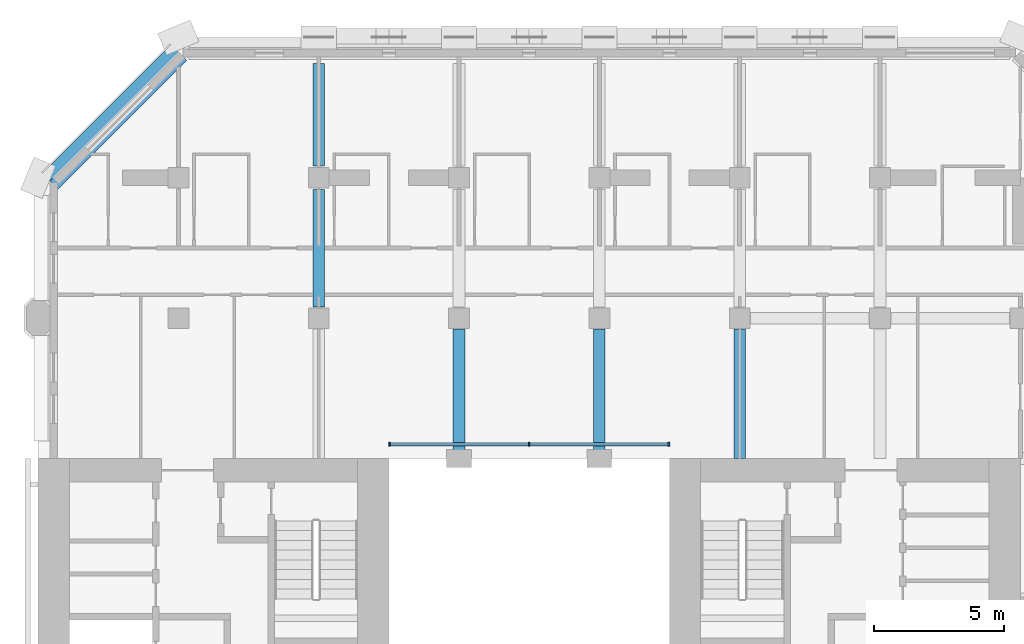
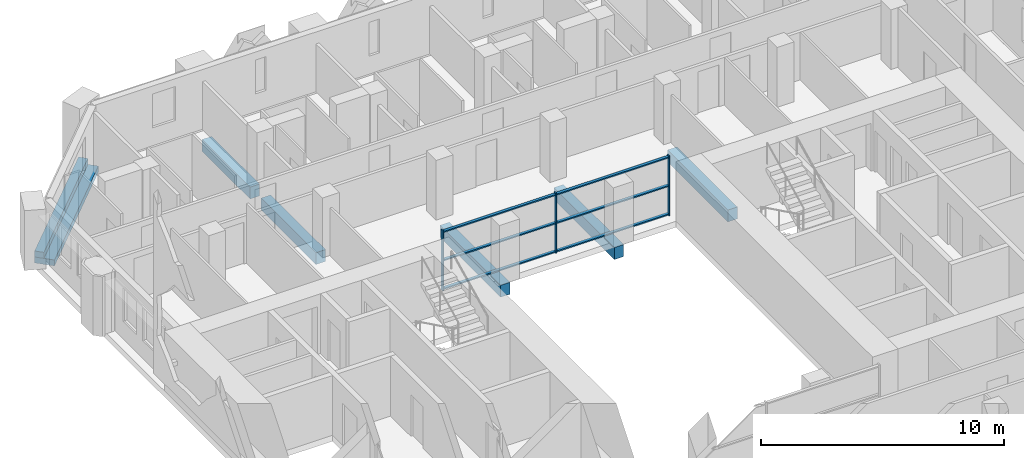
# One storey, part 6 of 17: 9 members, 7 beams, 1 element without a shape of its own.
"""IFC4 building model written with IfcOpenShell, lengths in metres."""

import ifcopenshell
import ifcopenshell.guid

model = None  # the IFC model being written
_history = None  # IfcOwnerHistory: only IFC2X3 demands one
_inside = {}  # id of a spatial element -> (the spatial element, [elements in it])
_under = {}  # id of a project, library or spatial element -> (it, [spatial elements below it])
_declared = {}  # id of a project -> (the project, [libraries it declares])
_typed = {}  # id of a type object -> (the type object, [elements of that type])
_made_of = {}  # id of a material, layer set ... -> (it, [elements and type objects made of it])


def new_model(schema):
    """Start an empty IFC model of exactly this schema.

    Asked for "IFC4X3", IfcOpenShell would pick the latest addendum, in which some entities
    have other attributes; the version numbers below select the first issue.
    IFC2X3 requires an IfcOwnerHistory on every rooted entity: one is made here for all.
    """
    global model, _history
    if schema == "IFC4X3":
        model = ifcopenshell.file(schema_version=(4, 3, 0, 0))
    else:
        model = ifcopenshell.file(schema=schema)
    _inside.clear()
    _under.clear()
    _declared.clear()
    _typed.clear()
    _made_of.clear()
    _history = None
    if model.schema == "IFC2X3":
        org = make("IfcOrganization", Name="unknown")
        user = make(
            "IfcPersonAndOrganization",
            ThePerson=make("IfcPerson", FamilyName="unknown"),
            TheOrganization=org,
        )
        app = make(
            "IfcApplication",
            ApplicationDeveloper=org,
            Version="unknown",
            ApplicationFullName="unknown",
            ApplicationIdentifier="unknown",
        )
        _history = make(
            "IfcOwnerHistory",
            OwningUser=user,
            OwningApplication=app,
            ChangeAction="ADDED",
            CreationDate=0,
        )
    return model


def make(cls, **values):
    """One entity of the class cls with the attributes given. An attribute that is None is left unset."""
    return model.create_entity(
        cls, **{name: value for name, value in values.items() if value is not None}
    )


def rooted(cls, **values):
    """An entity with a GlobalId (a new one), such as an element, a storey or a relation."""
    return make(cls, GlobalId=ifcopenshell.guid.new(), OwnerHistory=_history, **values)


def si_unit(unit_type, name, prefix=None):
    """IfcSIUnit, for example si_unit("LENGTHUNIT", "METRE", prefix="MILLI")."""
    return make("IfcSIUnit", UnitType=unit_type, Prefix=prefix, Name=name)


def assignment(units):
    """IfcUnitAssignment: the units of a project."""
    return None if units is None else make("IfcUnitAssignment", Units=units)


def point(xyz):
    """IfcCartesianPoint."""
    return None if xyz is None else make("IfcCartesianPoint", Coordinates=xyz)


def direction(xyz):
    """IfcDirection."""
    return None if xyz is None else make("IfcDirection", DirectionRatios=xyz)


def frame(location, z_axis=None, x_axis=None):
    """IfcAxis2Placement3D, a coordinate frame: its origin and axes. An axis left out is left unset."""
    return make(
        "IfcAxis2Placement3D",
        Location=point(location),
        Axis=direction(z_axis),
        RefDirection=direction(x_axis),
    )


def frame_2d(location, x_axis=None):
    """IfcAxis2Placement2D, a coordinate frame in the plane: its origin and x axis."""
    return make(
        "IfcAxis2Placement2D", Location=point(location), RefDirection=direction(x_axis)
    )


def origin():
    """The frame at (0, 0, 0) with its axes left unset."""
    return frame((0.0, 0.0, 0.0))


def origin_2d():
    """The frame at (0, 0) in the plane with its x axis left unset."""
    return frame_2d((0.0, 0.0))


def place(relative_to, where):
    """IfcLocalPlacement: puts the frame where relative to a parent placement (None: the world)."""
    return make(
        "IfcLocalPlacement", PlacementRelTo=relative_to, RelativePlacement=where
    )


def context(
    kind, dimensions, precision=None, world=None, true_north=None, identifier=None
):
    """IfcGeometricRepresentationContext, for example the 3D "Model" context."""
    return make(
        "IfcGeometricRepresentationContext",
        ContextIdentifier=identifier,
        ContextType=kind,
        CoordinateSpaceDimension=dimensions,
        Precision=precision,
        WorldCoordinateSystem=world,
        TrueNorth=true_north,
    )


def subcontext(parent, identifier, kind, view, scale=None):
    """IfcGeometricRepresentationSubContext, for example "Body" below "Model"."""
    return make(
        "IfcGeometricRepresentationSubContext",
        ContextIdentifier=identifier,
        ContextType=kind,
        ParentContext=parent,
        TargetScale=scale,
        TargetView=view,
    )


def project(units=None, contexts=None):
    """IfcProject with its units and contexts."""
    return rooted(
        "IfcProject",
        Name="project",
        RepresentationContexts=contexts,
        UnitsInContext=assignment(units),
    )


def spatial(cls, under=None, at=None, **own):
    """A site, building, storey or space (cls), placed at a placement, below another one or the project."""
    s = rooted(cls, ObjectPlacement=at, **own)
    if under is not None:
        _under.setdefault(under.id(), (under, []))[1].append(s)
    return s


def profile(cls, at=None, kind="AREA", **sizes):
    """A parametric profile (cls). Its sizes go by their IFC names, for example OverallWidth=200.0."""
    return make(cls, ProfileType=kind, Position=at, **sizes)


def rectangle(**sizes):
    """IfcRectangleProfileDef."""
    return profile("IfcRectangleProfileDef", **sizes)


def extrude(swept, where, along, depth):
    """IfcExtrudedAreaSolid: the profile swept, set in the frame where, extruded along a direction by depth."""
    return make(
        "IfcExtrudedAreaSolid",
        SweptArea=swept,
        Position=where,
        ExtrudedDirection=direction(along),
        Depth=depth,
    )


def shape(context_of_items, identifier, shape_type, items):
    """IfcShapeRepresentation: the items that make up one representation, for example the "Body"."""
    return make(
        "IfcShapeRepresentation",
        ContextOfItems=context_of_items,
        RepresentationIdentifier=identifier,
        RepresentationType=shape_type,
        Items=items,
    )


def material(Name=None, Category=None):
    """IfcMaterial."""
    return make("IfcMaterial", Name=Name, Category=Category)


def material_profile(
    of_material, cross_section, Name=None, Category=None, Priority=None
):
    """IfcMaterialProfile: a cross section and its material."""
    return make(
        "IfcMaterialProfile",
        Name=Name,
        Material=of_material,
        Profile=cross_section,
        Priority=Priority,
        Category=Category,
    )


def profile_set(profiles, Name=None, composite=None):
    """IfcMaterialProfileSet."""
    return make(
        "IfcMaterialProfileSet",
        Name=Name,
        MaterialProfiles=profiles,
        CompositeProfile=composite,
    )


def made_of(thing, what):
    """Note that an element or type object is made of a material, layer set ...; save() writes the relation."""
    if what is not None:
        _made_of.setdefault(what.id(), (what, []))[1].append(thing)
    return thing


def type_object(cls, material=None, **own):
    """A type object (cls), such as IfcWallType, which elements share."""
    return made_of(rooted(cls, **own), material)


def element(
    cls,
    number,
    at=None,
    inside=None,
    cuts=None,
    type_object=None,
    material=None,
    context=None,
    identifier="Body",
    shape_type=None,
    held_by="IfcProductDefinitionShape",
    body=None,
    shapes=None,
    **own,
):
    """One element of the class cls, such as IfcWall. Its Tag is "e" and its number.

    at: its placement. inside: the storey or other place that contains it. cuts: it is an
    opening in that element (IfcRelVoidsElement). A single representation is given by context,
    identifier, shape_type and body (its items); several are given by shapes. held_by: the class
    of the entity that holds the representations. save() writes the other relations.
    """
    e = rooted(cls, Tag="e%d" % number, ObjectPlacement=at, **own)
    if body is not None:
        shapes = [shape(context, identifier, shape_type, body)]
    if shapes is not None:
        e.Representation = make(held_by, Representations=shapes)
    if inside is not None:
        _inside.setdefault(inside.id(), (inside, []))[1].append(e)
    if cuts is not None:
        rooted(
            "IfcRelVoidsElement", RelatingBuildingElement=cuts, RelatedOpeningElement=e
        )
    if type_object is not None:
        _typed.setdefault(type_object.id(), (type_object, []))[1].append(e)
    return made_of(e, material)


def aggregate(whole, parts):
    """IfcRelAggregates: a whole, such as a stair, and the parts it consists of."""
    return rooted("IfcRelAggregates", RelatingObject=whole, RelatedObjects=parts)


def save(model, path):
    """Write the relations noted so far, then the file.

    IfcRelAggregates (storeys below a building ...), IfcRelContainedInSpatialStructure (elements
    in a storey), IfcRelDefinesByType, IfcRelAssociatesMaterial and IfcRelDeclares: one each for
    every whole, place, type object, material and project.
    """
    for whole, parts in _under.values():
        aggregate(whole, parts)
    for where, things in _inside.values():
        rooted(
            "IfcRelContainedInSpatialStructure",
            RelatedElements=things,
            RelatingStructure=where,
        )
    for kind, things in _typed.values():
        rooted("IfcRelDefinesByType", RelatedObjects=things, RelatingType=kind)
    for what, things in _made_of.values():
        rooted("IfcRelAssociatesMaterial", RelatedObjects=things, RelatingMaterial=what)
    for by, libraries in _declared.values():
        rooted("IfcRelDeclares", RelatingContext=by, RelatedDefinitions=libraries)
    model.write(path)


model = new_model("IFC4")

# Units and contexts
model_context = context("Model", 3, precision=1e-05, world=origin(), true_north=direction((0.0, 1.0)))
body_context = subcontext(model_context, "Body", "Model", "MODEL_VIEW")
ifc_project = project(units=[si_unit("LENGTHUNIT", "METRE"), si_unit("AREAUNIT", "SQUARE_METRE"), si_unit("VOLUMEUNIT", "CUBIC_METRE"), si_unit("PLANEANGLEUNIT", "RADIAN"), si_unit("MASSUNIT", "GRAM", prefix="KILO")], contexts=[model_context])

# Site, building, storey
site_placement = place(None, origin())
site = spatial("IfcSite", under=ifc_project, at=site_placement, CompositionType="ELEMENT")
building_placement = place(site_placement, origin())
building = spatial("IfcBuilding", under=site, at=building_placement, Name="Tabaq Tower and Sports Hall", CompositionType="ELEMENT")
storey_placement = place(building_placement, frame((0.0, 0.0, 180.699951171875)))
storey = spatial("IfcBuildingStorey", under=building, at=storey_placement, Name="L43", CompositionType="ELEMENT", Elevation=180.699951171875)

# Curtain wall, members
ifc_material_1 = material(Name="Aluminium alloy 6063-T6 framed glazing", Category="aluminium")
curtain_wall_type = type_object("IfcCurtainWallType", Name="CW1 curtain wall", PredefinedType="USERDEFINED", material=ifc_material_1)
curtain_wall_placement = place(storey_placement, origin())
curtain_wall = element("IfcCurtainWall", 1, at=curtain_wall_placement, inside=storey, type_object=curtain_wall_type, Name="Atrium glazing L43 N", ObjectType="ATRIUM ENCLOSURE", PredefinedType="USERDEFINED")
ifc_material_2 = material(Name="Aluminium alloy 6063-T6", Category="aluminium")
ifc_material_profile_1 = material_profile(ifc_material_2, rectangle(XDim=0.159912109375, YDim=0.06005859375, at=origin_2d()), Name="MULLION 160x60")
ifc_profile_set_1 = profile_set([ifc_material_profile_1], Name="Aluminium alloy 6063-T6")
member_type_1 = type_object("IfcMemberType", Name="CW1 mullion 160x60", PredefinedType="MULLION", material=ifc_profile_set_1)
member_1_placement = place(storey_placement, frame((18.929931640625, 32.949951171875, 0.0), z_axis=(0.0, 0.0, 1.0), x_axis=(0.0, 1.0, 0.0)))
member_1 = element("IfcMember", 2, at=member_1_placement, type_object=member_type_1, Name="CW1 mullion 1", PredefinedType="MULLION", context=body_context, shape_type="SweptSolid", body=[
    extrude(rectangle(XDim=0.159912109375, YDim=0.06005859375, at=origin_2d()), origin(), (0.0, 0.0, 1.0), 3.0),
])
member_2_placement = place(storey_placement, frame((24.300048828125, 32.949951171875, 0.0), z_axis=(0.0, 0.0, 1.0), x_axis=(0.0, 1.0, 0.0)))
member_2 = element("IfcMember", 3, at=member_2_placement, type_object=member_type_1, Name="CW1 mullion 2", PredefinedType="MULLION", context=body_context, shape_type="SweptSolid", body=[
    extrude(rectangle(XDim=0.159912109375, YDim=0.06005859375, at=origin_2d()), origin(), (0.0, 0.0, 1.0), 3.0),
])
member_3_placement = place(storey_placement, frame((29.669921875, 32.949951171875, 0.0), z_axis=(0.0, 0.0, 1.0), x_axis=(0.0, 1.0, 0.0)))
member_3 = element("IfcMember", 4, at=member_3_placement, type_object=member_type_1, Name="CW1 mullion 3", PredefinedType="MULLION", context=body_context, shape_type="SweptSolid", body=[
    extrude(rectangle(XDim=0.159912109375, YDim=0.06005859375, at=origin_2d()), origin(), (0.0, 0.0, 1.0), 3.0),
])
ifc_material_3 = material(Name="Aluminium alloy 6063-T6", Category="aluminium")
ifc_material_profile_2 = material_profile(ifc_material_3, rectangle(XDim=0.139892578125, YDim=0.06005859375, at=origin_2d()), Name="TRANSOM 140x60")
ifc_profile_set_2 = profile_set([ifc_material_profile_2], Name="Aluminium alloy 6063-T6")
member_type_2 = type_object("IfcMemberType", Name="CW1 transom 140x60", PredefinedType="USERDEFINED", material=ifc_profile_set_2)
member_4_placement = place(storey_placement, frame((18.9599609375, 32.949951171875, 0.070068359375), z_axis=(1.0, 0.0, 0.0), x_axis=(0.0, 1.0, 0.0)))
member_4 = element("IfcMember", 5, at=member_4_placement, type_object=member_type_2, Name="CW1 transom 1.1", ObjectType="TRANSOM", PredefinedType="USERDEFINED", context=body_context, shape_type="SweptSolid", body=[
    extrude(rectangle(XDim=0.139892578125, YDim=0.06005859375, at=origin_2d()), origin(), (0.0, 0.0, 1.0), 5.31005859375),
])
member_5_placement = place(storey_placement, frame((18.9599609375, 32.949951171875, 1.5), z_axis=(1.0, 0.0, 0.0), x_axis=(0.0, 1.0, 0.0)))
member_5 = element("IfcMember", 6, at=member_5_placement, type_object=member_type_2, Name="CW1 transom 1.2", ObjectType="TRANSOM", PredefinedType="USERDEFINED", context=body_context, shape_type="SweptSolid", body=[
    extrude(rectangle(XDim=0.139892578125, YDim=0.06005859375, at=origin_2d()), origin(), (0.0, 0.0, 1.0), 5.31005859375),
])
member_6_placement = place(storey_placement, frame((18.9599609375, 32.949951171875, 2.929931640625), z_axis=(1.0, 0.0, 0.0), x_axis=(0.0, 1.0, 0.0)))
member_6 = element("IfcMember", 7, at=member_6_placement, type_object=member_type_2, Name="CW1 transom 1.3", ObjectType="TRANSOM", PredefinedType="USERDEFINED", context=body_context, shape_type="SweptSolid", body=[
    extrude(rectangle(XDim=0.139892578125, YDim=0.06005859375, at=origin_2d()), origin(), (0.0, 0.0, 1.0), 5.31005859375),
])
member_7_placement = place(storey_placement, frame((24.330078125, 32.949951171875, 0.070068359375), z_axis=(1.0, 0.0, 0.0), x_axis=(0.0, 1.0, 0.0)))
member_7 = element("IfcMember", 8, at=member_7_placement, type_object=member_type_2, Name="CW1 transom 2.1", ObjectType="TRANSOM", PredefinedType="USERDEFINED", context=body_context, shape_type="SweptSolid", body=[
    extrude(rectangle(XDim=0.139892578125, YDim=0.06005859375, at=origin_2d()), origin(), (0.0, 0.0, 1.0), 5.309814453125),
])
member_8_placement = place(storey_placement, frame((24.330078125, 32.949951171875, 1.5), z_axis=(1.0, 0.0, 0.0), x_axis=(0.0, 1.0, 0.0)))
member_8 = element("IfcMember", 9, at=member_8_placement, type_object=member_type_2, Name="CW1 transom 2.2", ObjectType="TRANSOM", PredefinedType="USERDEFINED", context=body_context, shape_type="SweptSolid", body=[
    extrude(rectangle(XDim=0.139892578125, YDim=0.06005859375, at=origin_2d()), origin(), (0.0, 0.0, 1.0), 5.309814453125),
])
member_9_placement = place(storey_placement, frame((24.330078125, 32.949951171875, 2.929931640625), z_axis=(1.0, 0.0, 0.0), x_axis=(0.0, 1.0, 0.0)))
member_9 = element("IfcMember", 10, at=member_9_placement, type_object=member_type_2, Name="CW1 transom 2.3", ObjectType="TRANSOM", PredefinedType="USERDEFINED", context=body_context, shape_type="SweptSolid", body=[
    extrude(rectangle(XDim=0.139892578125, YDim=0.06005859375, at=origin_2d()), origin(), (0.0, 0.0, 1.0), 5.309814453125),
])
aggregate(curtain_wall, [member_1, member_2, member_3, member_4, member_5, member_6, member_7, member_8, member_9])

# Beams
ifc_material_4 = material(Name="Concrete C40/50", Category="concrete")
ifc_material_profile_3 = material_profile(ifc_material_4, rectangle(XDim=0.449951171875, YDim=0.60009765625, at=origin_2d()), Name="CB 450x600")
ifc_profile_set_3 = profile_set([ifc_material_profile_3], Name="Concrete C40/50")
beam_type_1 = type_object("IfcBeamType", Name="PT CANTILEVER BEAM CB 450x600 C40/50", PredefinedType="BEAM", material=ifc_profile_set_3)
beam_1_placement = place(storey_placement, frame((16.199951171875, 47.60009765625, -0.599853515625), z_axis=(0.0, -1.0, 0.0), x_axis=(1.0, 0.0, 0.0)))
element("IfcBeam", 11, at=beam_1_placement, inside=storey, type_object=beam_type_1, Name="Cantilever Beam L43 N3 span 1", PredefinedType="BEAM", context=body_context, shape_type="SweptSolid", body=[
    extrude(rectangle(XDim=0.449951171875, YDim=0.60009765625, at=origin_2d()), origin(), (0.0, 0.0, 1.0), 3.9501953125),
])
beam_2_placement = place(storey_placement, frame((16.199951171875, 42.75, -0.599853515625), z_axis=(0.0, -1.0, 0.0), x_axis=(1.0, 0.0, 0.0)))
element("IfcBeam", 12, at=beam_2_placement, inside=storey, type_object=beam_type_1, Name="Cantilever Beam L43 N3 span 2", PredefinedType="BEAM", context=body_context, shape_type="SweptSolid", body=[
    extrude(rectangle(XDim=0.449951171875, YDim=0.60009765625, at=origin_2d()), origin(), (0.0, 0.0, 1.0), 4.52490234375),
])
for number, where, z_axis, x_axis, name in (
    (13, (21.60009765625, 37.375, -0.599853515625), (0.0, -1.0, 0.0), (1.0, 0.0, 0.0), "Cantilever Beam L43 N4 span 3"),
    (14, (27.0, 37.375, -0.599853515625), (0.0, -1.0, 0.0), (1.0, 0.0, 0.0), "Cantilever Beam L43 N5 span 3"),
    (15, (32.39990234375, 37.375, -0.599853515625), (0.0, -1.0, 0.0), (1.0, 0.0, 0.0), "Cantilever Beam L43 N6 span 3"),
):
    element("IfcBeam", number, at=place(storey_placement, frame(where, z_axis=z_axis, x_axis=x_axis)), inside=storey, type_object=beam_type_1, Name=name, PredefinedType="BEAM", context=body_context, shape_type="SweptSolid", body=[
        extrude(rectangle(XDim=0.449951171875, YDim=0.60009765625, at=origin_2d()), origin(), (0.0, 0.0, 1.0), 4.97509765625),
    ])
ifc_material_5 = material(Name="Concrete C40/50", Category="concrete")
ifc_material_profile_4 = material_profile(ifc_material_5, rectangle(XDim=0.85009765625, YDim=0.300048828125, at=origin_2d()), Name="EB 850x300")
ifc_profile_set_4 = profile_set([ifc_material_profile_4], Name="Concrete C40/50")
beam_type_2 = type_object("IfcBeamType", Name="PT EDGE BEAM EB 850x300 C40/50", PredefinedType="SPANDREL", material=ifc_profile_set_4)
beam_3_placement = place(storey_placement, frame((10.816162109375, 48.01513671875, -0.14990234375), z_axis=(-0.707106781187, -0.707106781187, 0.0), x_axis=(0.707106781187, -0.707106781187, 0.0)))
element("IfcBeam", 16, at=beam_3_placement, inside=storey, type_object=beam_type_2, Name="Edge Beam L43 4", PredefinedType="SPANDREL", context=body_context, shape_type="SweptSolid", body=[
    extrude(rectangle(XDim=0.85009765625, YDim=0.300048828125, at=origin_2d()), origin(), (0.0, 0.0, 1.0), 6.98486328125),
])
ifc_material_6 = material(Name="Concrete C40/50", Category="concrete")
ifc_material_profile_5 = material_profile(ifc_material_6, rectangle(XDim=0.39990234375, YDim=0.300048828125, at=origin_2d()), Name="EU 400x300")
ifc_profile_set_5 = profile_set([ifc_material_profile_5], Name="Concrete C40/50")
beam_type_3 = type_object("IfcBeamType", Name="PT EDGE UPSTAND EU 400x300 C40/50", PredefinedType="BEAM", material=ifc_profile_set_5)
beam_4_placement = place(storey_placement, frame((10.6572265625, 48.17431640625, 0.150146484375), z_axis=(-0.707106781187, -0.707106781187, 0.0), x_axis=(0.707106781187, -0.707106781187, 0.0)))
element("IfcBeam", 17, at=beam_4_placement, inside=storey, type_object=beam_type_3, Name="Edge Upstand L43 4", PredefinedType="BEAM", context=body_context, shape_type="SweptSolid", body=[
    extrude(rectangle(XDim=0.39990234375, YDim=0.300048828125, at=origin_2d()), origin(), (0.0, 0.0, 1.0), 6.98486328125),
])

save(model, "model.ifc")
